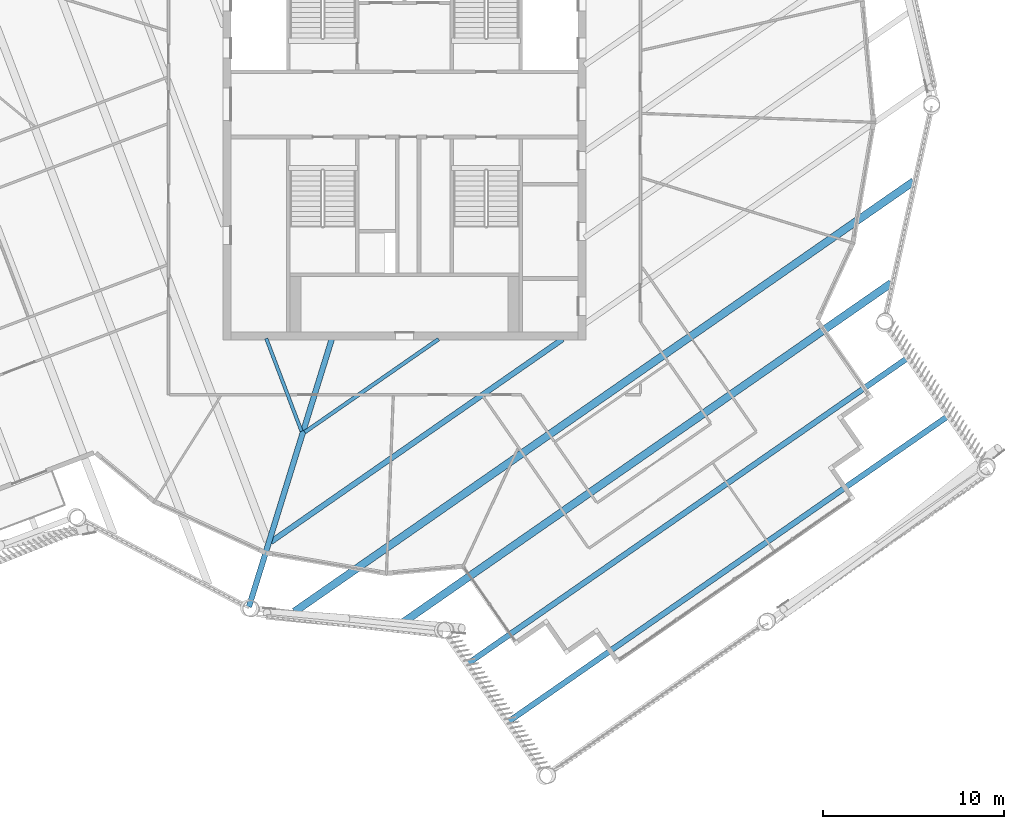
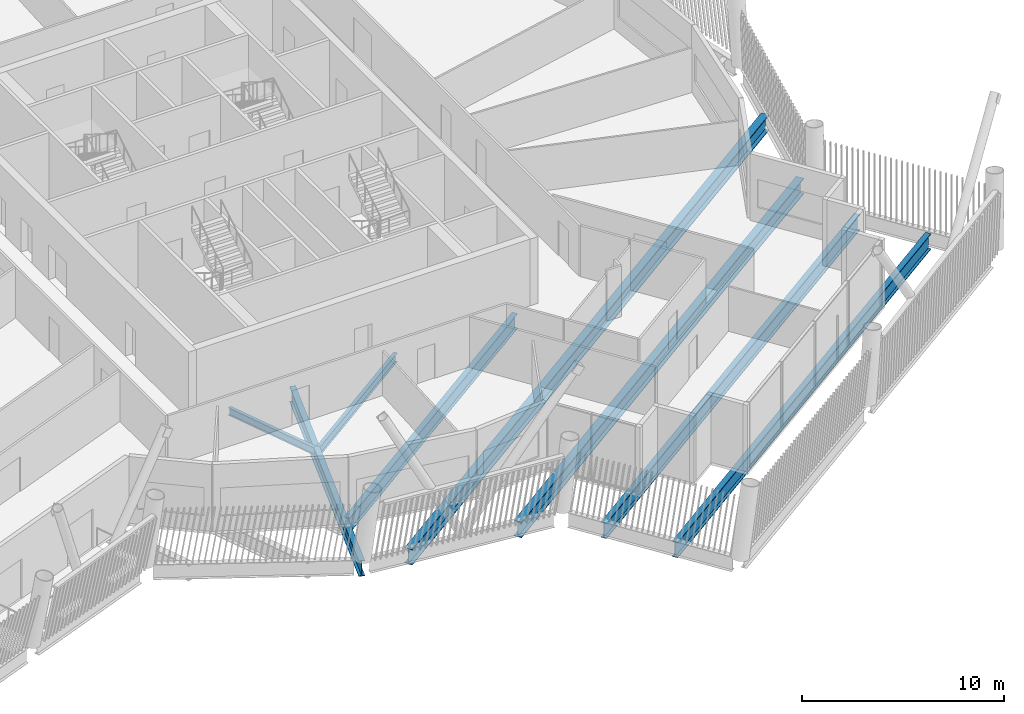
# One storey, part 11 of 33: 8 beams.
"""IFC4 building model written with IfcOpenShell, lengths in metres."""

import ifcopenshell
import ifcopenshell.guid

model = None  # the IFC model being written
_history = None  # IfcOwnerHistory: only IFC2X3 demands one
_inside = {}  # id of a spatial element -> (the spatial element, [elements in it])
_under = {}  # id of a project, library or spatial element -> (it, [spatial elements below it])
_declared = {}  # id of a project -> (the project, [libraries it declares])
_typed = {}  # id of a type object -> (the type object, [elements of that type])
_made_of = {}  # id of a material, layer set ... -> (it, [elements and type objects made of it])


def new_model(schema):
    """Start an empty IFC model of exactly this schema.

    Asked for "IFC4X3", IfcOpenShell would pick the latest addendum, in which some entities
    have other attributes; the version numbers below select the first issue.
    IFC2X3 requires an IfcOwnerHistory on every rooted entity: one is made here for all.
    """
    global model, _history
    if schema == "IFC4X3":
        model = ifcopenshell.file(schema_version=(4, 3, 0, 0))
    else:
        model = ifcopenshell.file(schema=schema)
    _inside.clear()
    _under.clear()
    _declared.clear()
    _typed.clear()
    _made_of.clear()
    _history = None
    if model.schema == "IFC2X3":
        org = make("IfcOrganization", Name="unknown")
        user = make(
            "IfcPersonAndOrganization",
            ThePerson=make("IfcPerson", FamilyName="unknown"),
            TheOrganization=org,
        )
        app = make(
            "IfcApplication",
            ApplicationDeveloper=org,
            Version="unknown",
            ApplicationFullName="unknown",
            ApplicationIdentifier="unknown",
        )
        _history = make(
            "IfcOwnerHistory",
            OwningUser=user,
            OwningApplication=app,
            ChangeAction="ADDED",
            CreationDate=0,
        )
    return model


def make(cls, **values):
    """One entity of the class cls with the attributes given. An attribute that is None is left unset."""
    return model.create_entity(
        cls, **{name: value for name, value in values.items() if value is not None}
    )


def rooted(cls, **values):
    """An entity with a GlobalId (a new one), such as an element, a storey or a relation."""
    return make(cls, GlobalId=ifcopenshell.guid.new(), OwnerHistory=_history, **values)


def si_unit(unit_type, name, prefix=None):
    """IfcSIUnit, for example si_unit("LENGTHUNIT", "METRE", prefix="MILLI")."""
    return make("IfcSIUnit", UnitType=unit_type, Prefix=prefix, Name=name)


def assignment(units):
    """IfcUnitAssignment: the units of a project."""
    return None if units is None else make("IfcUnitAssignment", Units=units)


def point(xyz):
    """IfcCartesianPoint."""
    return None if xyz is None else make("IfcCartesianPoint", Coordinates=xyz)


def direction(xyz):
    """IfcDirection."""
    return None if xyz is None else make("IfcDirection", DirectionRatios=xyz)


def frame(location, z_axis=None, x_axis=None):
    """IfcAxis2Placement3D, a coordinate frame: its origin and axes. An axis left out is left unset."""
    return make(
        "IfcAxis2Placement3D",
        Location=point(location),
        Axis=direction(z_axis),
        RefDirection=direction(x_axis),
    )


def frame_2d(location, x_axis=None):
    """IfcAxis2Placement2D, a coordinate frame in the plane: its origin and x axis."""
    return make(
        "IfcAxis2Placement2D", Location=point(location), RefDirection=direction(x_axis)
    )


def origin():
    """The frame at (0, 0, 0) with its axes left unset."""
    return frame((0.0, 0.0, 0.0))


def origin_2d():
    """The frame at (0, 0) in the plane with its x axis left unset."""
    return frame_2d((0.0, 0.0))


def place(relative_to, where):
    """IfcLocalPlacement: puts the frame where relative to a parent placement (None: the world)."""
    return make(
        "IfcLocalPlacement", PlacementRelTo=relative_to, RelativePlacement=where
    )


def context(
    kind, dimensions, precision=None, world=None, true_north=None, identifier=None
):
    """IfcGeometricRepresentationContext, for example the 3D "Model" context."""
    return make(
        "IfcGeometricRepresentationContext",
        ContextIdentifier=identifier,
        ContextType=kind,
        CoordinateSpaceDimension=dimensions,
        Precision=precision,
        WorldCoordinateSystem=world,
        TrueNorth=true_north,
    )


def subcontext(parent, identifier, kind, view, scale=None):
    """IfcGeometricRepresentationSubContext, for example "Body" below "Model"."""
    return make(
        "IfcGeometricRepresentationSubContext",
        ContextIdentifier=identifier,
        ContextType=kind,
        ParentContext=parent,
        TargetScale=scale,
        TargetView=view,
    )


def project(units=None, contexts=None):
    """IfcProject with its units and contexts."""
    return rooted(
        "IfcProject",
        Name="project",
        RepresentationContexts=contexts,
        UnitsInContext=assignment(units),
    )


def spatial(cls, under=None, at=None, **own):
    """A site, building, storey or space (cls), placed at a placement, below another one or the project."""
    s = rooted(cls, ObjectPlacement=at, **own)
    if under is not None:
        _under.setdefault(under.id(), (under, []))[1].append(s)
    return s


def profile(cls, at=None, kind="AREA", **sizes):
    """A parametric profile (cls). Its sizes go by their IFC names, for example OverallWidth=200.0."""
    return make(cls, ProfileType=kind, Position=at, **sizes)


def i_section(**sizes):
    """IfcIShapeProfileDef."""
    return profile("IfcIShapeProfileDef", **sizes)


def extrude(swept, where, along, depth):
    """IfcExtrudedAreaSolid: the profile swept, set in the frame where, extruded along a direction by depth."""
    return make(
        "IfcExtrudedAreaSolid",
        SweptArea=swept,
        Position=where,
        ExtrudedDirection=direction(along),
        Depth=depth,
    )


def shape(context_of_items, identifier, shape_type, items):
    """IfcShapeRepresentation: the items that make up one representation, for example the "Body"."""
    return make(
        "IfcShapeRepresentation",
        ContextOfItems=context_of_items,
        RepresentationIdentifier=identifier,
        RepresentationType=shape_type,
        Items=items,
    )


def material(Name=None, Category=None):
    """IfcMaterial."""
    return make("IfcMaterial", Name=Name, Category=Category)


def material_profile(
    of_material, cross_section, Name=None, Category=None, Priority=None
):
    """IfcMaterialProfile: a cross section and its material."""
    return make(
        "IfcMaterialProfile",
        Name=Name,
        Material=of_material,
        Profile=cross_section,
        Priority=Priority,
        Category=Category,
    )


def profile_set(profiles, Name=None, composite=None):
    """IfcMaterialProfileSet."""
    return make(
        "IfcMaterialProfileSet",
        Name=Name,
        MaterialProfiles=profiles,
        CompositeProfile=composite,
    )


def made_of(thing, what):
    """Note that an element or type object is made of a material, layer set ...; save() writes the relation."""
    if what is not None:
        _made_of.setdefault(what.id(), (what, []))[1].append(thing)
    return thing


def type_object(cls, material=None, **own):
    """A type object (cls), such as IfcWallType, which elements share."""
    return made_of(rooted(cls, **own), material)


def element(
    cls,
    number,
    at=None,
    inside=None,
    cuts=None,
    type_object=None,
    material=None,
    context=None,
    identifier="Body",
    shape_type=None,
    held_by="IfcProductDefinitionShape",
    body=None,
    shapes=None,
    **own,
):
    """One element of the class cls, such as IfcWall. Its Tag is "e" and its number.

    at: its placement. inside: the storey or other place that contains it. cuts: it is an
    opening in that element (IfcRelVoidsElement). A single representation is given by context,
    identifier, shape_type and body (its items); several are given by shapes. held_by: the class
    of the entity that holds the representations. save() writes the other relations.
    """
    e = rooted(cls, Tag="e%d" % number, ObjectPlacement=at, **own)
    if body is not None:
        shapes = [shape(context, identifier, shape_type, body)]
    if shapes is not None:
        e.Representation = make(held_by, Representations=shapes)
    if inside is not None:
        _inside.setdefault(inside.id(), (inside, []))[1].append(e)
    if cuts is not None:
        rooted(
            "IfcRelVoidsElement", RelatingBuildingElement=cuts, RelatedOpeningElement=e
        )
    if type_object is not None:
        _typed.setdefault(type_object.id(), (type_object, []))[1].append(e)
    return made_of(e, material)


def aggregate(whole, parts):
    """IfcRelAggregates: a whole, such as a stair, and the parts it consists of."""
    return rooted("IfcRelAggregates", RelatingObject=whole, RelatedObjects=parts)


def save(model, path):
    """Write the relations noted so far, then the file.

    IfcRelAggregates (storeys below a building ...), IfcRelContainedInSpatialStructure (elements
    in a storey), IfcRelDefinesByType, IfcRelAssociatesMaterial and IfcRelDeclares: one each for
    every whole, place, type object, material and project.
    """
    for whole, parts in _under.values():
        aggregate(whole, parts)
    for where, things in _inside.values():
        rooted(
            "IfcRelContainedInSpatialStructure",
            RelatedElements=things,
            RelatingStructure=where,
        )
    for kind, things in _typed.values():
        rooted("IfcRelDefinesByType", RelatedObjects=things, RelatingType=kind)
    for what, things in _made_of.values():
        rooted("IfcRelAssociatesMaterial", RelatedObjects=things, RelatingMaterial=what)
    for by, libraries in _declared.values():
        rooted("IfcRelDeclares", RelatingContext=by, RelatedDefinitions=libraries)
    model.write(path)


model = new_model("IFC4")

# Units and contexts
model_context = context("Model", 3, precision=1e-05, world=origin(), true_north=direction((0.0, 1.0)))
body_context = subcontext(model_context, "Body", "Model", "MODEL_VIEW")
ifc_project = project(units=[si_unit("LENGTHUNIT", "METRE"), si_unit("AREAUNIT", "SQUARE_METRE"), si_unit("VOLUMEUNIT", "CUBIC_METRE"), si_unit("PLANEANGLEUNIT", "RADIAN"), si_unit("MASSUNIT", "GRAM", prefix="KILO")], contexts=[model_context])

# Site, building, storey
site_placement = place(None, origin())
site = spatial("IfcSite", under=ifc_project, at=site_placement, CompositionType="ELEMENT")
building_placement = place(site_placement, origin())
building = spatial("IfcBuilding", under=site, at=building_placement, Name="Tarsis Ring Headquarters", CompositionType="ELEMENT")
storey_placement = place(building_placement, frame((0.0, 0.0, 369.199951171875)))
storey = spatial("IfcBuildingStorey", under=building, at=storey_placement, Name="L87", CompositionType="ELEMENT", Elevation=369.199951171875)

# Beams
ifc_material = material(Name="Structural steel S355", Category="steel")
ifc_material_profile_1 = material_profile(ifc_material, i_section(OverallWidth=0.1904296875, OverallDepth=0.457275390625, WebThickness=0.009033203125, FlangeThickness=0.014404296875, at=origin_2d()), Name="W18x50")
ifc_profile_set_1 = profile_set([ifc_material_profile_1], Name="Structural steel S355")
beam_type_1 = type_object("IfcBeamType", Name="FB Floor beam W18x50", PredefinedType="JOIST", material=ifc_profile_set_1)
beam_1_placement = place(storey_placement, frame((-7.613037109375, -12.906494140625, -0.388671875), z_axis=(0.355102920242, -0.934827211861, 0.0), x_axis=(0.934827211861, 0.355102920242, 0.0)))
element("IfcBeam", 1, at=beam_1_placement, inside=storey, type_object=beam_type_1, Name="Floor beam FB2", PredefinedType="JOIST", context=body_context, shape_type="SweptSolid", body=[
    extrude(i_section(OverallWidth=0.1904296875, OverallDepth=0.457275390625, WebThickness=0.009033203125, FlangeThickness=0.014404296875, at=origin_2d()), origin(), (0.0, 0.0, 1.0), 5.461669921875),
])
ifc_material_profile_2 = material_profile(ifc_material, i_section(OverallWidth=0.209228515625, OverallDepth=0.533447265625, WebThickness=0.01025390625, FlangeThickness=0.015625, at=origin_2d()), Name="W21x62")
ifc_profile_set_2 = profile_set([ifc_material_profile_2], Name="Structural steel S355")
beam_type_2 = type_object("IfcBeamType", Name="FB Floor beam W21x62", PredefinedType="JOIST", material=ifc_profile_set_2)
beam_2_placement = place(storey_placement, frame((-5.4951171875, -18.0673828125, -0.4267578125), z_axis=(0.821152290236, 0.570709134534, 0.0), x_axis=(-0.570709134534, 0.821152290236, 0.0)))
element("IfcBeam", 2, at=beam_2_placement, inside=storey, type_object=beam_type_2, Name="Floor beam FB3", PredefinedType="JOIST", context=body_context, shape_type="SweptSolid", body=[
    extrude(i_section(OverallWidth=0.209228515625, OverallDepth=0.533447265625, WebThickness=0.01025390625, FlangeThickness=0.015625, at=origin_2d()), origin(), (0.0, 0.0, 1.0), 8.979248046875),
])
ifc_material_profile_3 = material_profile(ifc_material, i_section(OverallWidth=0.3046875, OverallDepth=0.904296875, WebThickness=0.01513671875, FlangeThickness=0.02001953125, at=origin_2d()), Name="W36x135")
ifc_profile_set_3 = profile_set([ifc_material_profile_3], Name="Structural steel S355")
beam_type_3 = type_object("IfcBeamType", Name="FB Floor beam W36x135", PredefinedType="JOIST", material=ifc_profile_set_3)
beam_3_placement = place(storey_placement, frame((-7.3681640625, -24.118896484375, -0.612060546875), z_axis=(0.821143234779, 0.570722163559, 0.0), x_axis=(-0.570722163559, 0.821143234779, 0.0)))
element("IfcBeam", 3, at=beam_3_placement, inside=storey, type_object=beam_type_3, Name="Floor beam FB8", PredefinedType="JOIST", context=body_context, shape_type="SweptSolid", body=[
    extrude(i_section(OverallWidth=0.3046875, OverallDepth=0.904296875, WebThickness=0.01513671875, FlangeThickness=0.02001953125, at=origin_2d()), origin(), (0.0, 0.0, 1.0), 19.582275390625),
])
ifc_material_profile_4 = material_profile(ifc_material, i_section(OverallWidth=0.309814453125, OverallDepth=0.949951171875, WebThickness=0.0244140625, FlangeThickness=0.0439453125, at=origin_2d()), Name="W36x256")
ifc_profile_set_4 = profile_set([ifc_material_profile_4], Name="Structural steel S355")
beam_type_4 = type_object("IfcBeamType", Name="FB Floor beam W36x256", PredefinedType="JOIST", material=ifc_profile_set_4)
beam_4_placement = place(storey_placement, frame((3.470458984375, -30.833984375, -0.635009765625), z_axis=(0.821150260979, 0.570712054274, 0.0), x_axis=(-0.570712054274, 0.821150260979, 0.0)))
element("IfcBeam", 4, at=beam_4_placement, inside=storey, type_object=beam_type_4, Name="Floor beam FB11", PredefinedType="JOIST", context=body_context, shape_type="SweptSolid", body=[
    extrude(i_section(OverallWidth=0.309814453125, OverallDepth=0.949951171875, WebThickness=0.0244140625, FlangeThickness=0.0439453125, at=origin_2d()), origin(), (0.0, 0.0, 1.0), 29.4951171875),
])
beam_5_placement = place(storey_placement, frame((5.6962890625, -34.03662109375, -0.635009765625), z_axis=(0.821146381898, 0.570717635521, 0.0), x_axis=(-0.570717635521, 0.821146381898, 0.0)))
element("IfcBeam", 5, at=beam_5_placement, inside=storey, type_object=beam_type_4, Name="Floor beam FB11", PredefinedType="JOIST", context=body_context, shape_type="SweptSolid", body=[
    extrude(i_section(OverallWidth=0.309814453125, OverallDepth=0.949951171875, WebThickness=0.0244140625, FlangeThickness=0.0439453125, at=origin_2d()), origin(), (0.0, 0.0, 1.0), 29.495361328125),
])
beam_type_5 = type_object("IfcBeamType", Name="FB Floor beam W36x256 spine", PredefinedType="BEAM", material=ifc_profile_set_4)
beam_6_placement = place(storey_placement, frame((-3.99462890625, -12.904541015625, -0.635009765625), z_axis=(-0.295701884442, -0.955280270673, 0.0), x_axis=(0.955280270673, -0.295701884442, 0.0)))
element("IfcBeam", 6, at=beam_6_placement, inside=storey, type_object=beam_type_5, Name="Floor beam SB11", PredefinedType="BEAM", context=body_context, shape_type="SweptSolid", body=[
    extrude(i_section(OverallWidth=0.309814453125, OverallDepth=0.949951171875, WebThickness=0.0244140625, FlangeThickness=0.0439453125, at=origin_2d()), origin(), (0.0, 0.0, 1.0), 15.484619140625),
])
ifc_material_profile_5 = material_profile(ifc_material, i_section(OverallWidth=0.42431640625, OverallDepth=0.947509765625, WebThickness=0.02392578125, FlangeThickness=0.042724609375, at=origin_2d()), Name="W36x302")
ifc_profile_set_5 = profile_set([ifc_material_profile_5], Name="Structural steel S355")
beam_type_6 = type_object("IfcBeamType", Name="FB Floor beam W36x302", PredefinedType="JOIST", material=ifc_profile_set_5)
beam_7_placement = place(storey_placement, frame((-6.050537109375, -27.952392578125, -0.633544921875), z_axis=(0.821149192897, 0.570713591046, 0.0), x_axis=(-0.570713591046, 0.821149192897, 0.0)))
element("IfcBeam", 7, at=beam_7_placement, inside=storey, type_object=beam_type_6, Name="Floor beam FB12", PredefinedType="JOIST", context=body_context, shape_type="SweptSolid", body=[
    extrude(i_section(OverallWidth=0.42431640625, OverallDepth=0.947509765625, WebThickness=0.02392578125, FlangeThickness=0.042724609375, at=origin_2d()), origin(), (0.0, 0.0, 1.0), 41.53125),
])
beam_8_placement = place(storey_placement, frame((-0.181396484375, -28.622802734375, -0.633544921875), z_axis=(0.821146799447, 0.570717034753, 0.0), x_axis=(-0.570717034753, 0.821146799447, 0.0)))
element("IfcBeam", 8, at=beam_8_placement, inside=storey, type_object=beam_type_6, Name="Floor beam FB12", PredefinedType="JOIST", context=body_context, shape_type="SweptSolid", body=[
    extrude(i_section(OverallWidth=0.42431640625, OverallDepth=0.947509765625, WebThickness=0.02392578125, FlangeThickness=0.042724609375, at=origin_2d()), origin(), (0.0, 0.0, 1.0), 32.8828125),
])

save(model, "model.ifc")
